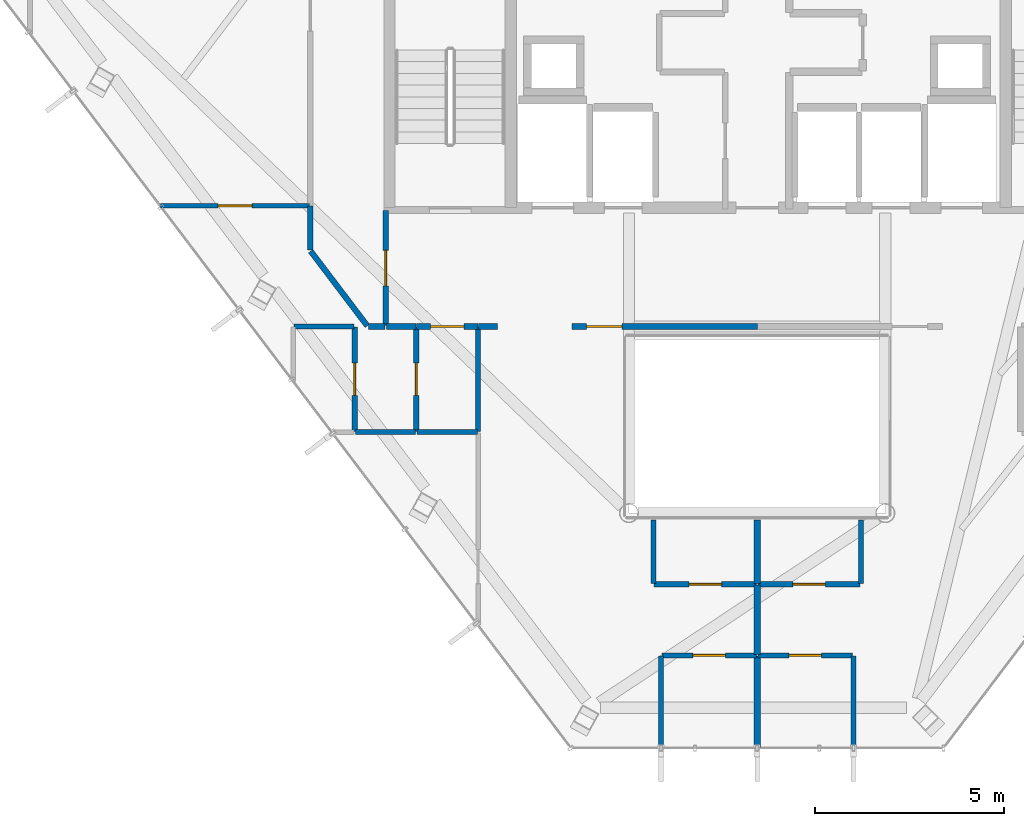
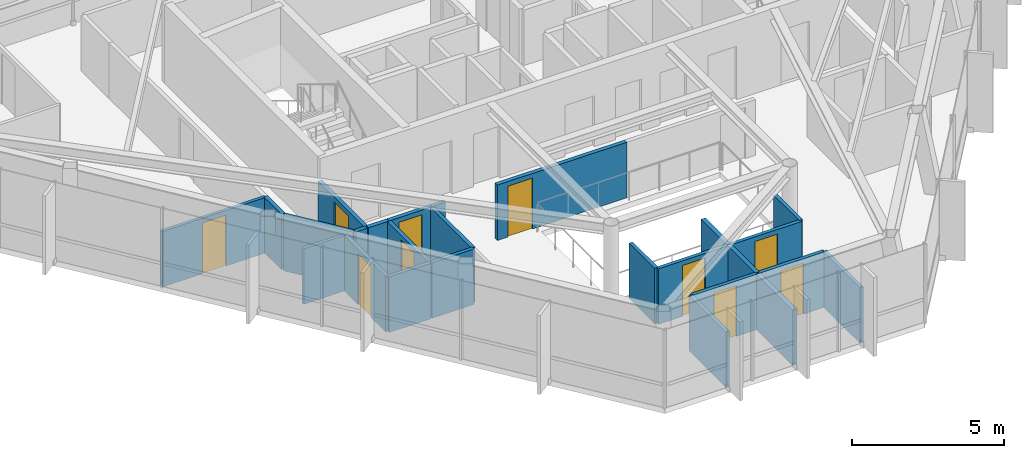
# One storey, part 22 of 26: 26 walls, 10 doors, 10 openings.
"""IFC4 building model written with IfcOpenShell, lengths in metres."""

from ifc_helpers import new_model, si_unit, direction, frame, frame_2d, origin, place, context, subcontext, project, spatial, rectangle, extrude, material, layer, layer_set, type_object, element, fill, save


model = new_model("IFC4")

# Units and contexts
model_context = context("Model", 3, precision=1e-05, world=origin(), true_north=direction((0.0, 1.0)))
body_context = subcontext(model_context, "Body", "Model", "MODEL_VIEW")
ifc_project = project(units=[si_unit("LENGTHUNIT", "METRE"), si_unit("AREAUNIT", "SQUARE_METRE"), si_unit("VOLUMEUNIT", "CUBIC_METRE"), si_unit("PLANEANGLEUNIT", "RADIAN"), si_unit("MASSUNIT", "GRAM", prefix="KILO")], contexts=[model_context])

# Site, building, storey
site_placement = place(None, origin())
site = spatial("IfcSite", under=ifc_project, at=site_placement, CompositionType="ELEMENT")
building_placement = place(site_placement, origin())
building = spatial("IfcBuilding", under=site, at=building_placement, Name="Zarrinselat Tower", CompositionType="ELEMENT")
storey_placement = place(building_placement, frame((0.0, 0.0, 265.199951171875)))
storey = spatial("IfcBuildingStorey", under=building, at=storey_placement, Name="L67", CompositionType="ELEMENT", Elevation=265.199951171875)

# Walls
ifc_material_1 = material(Name="Fire-Rated Gypsum Board Partition", Category="gypsum")
ifc_layer_1 = layer(ifc_material_1, 0.1650390625)
ifc_layer_set_1 = layer_set([ifc_layer_1], Name="Fire-Rated Gypsum Board Partition")
wall_type_1 = type_object("IfcWallType", Name="WAL-PART-DEMISE", PredefinedType="PARTITIONING", material=ifc_layer_set_1)
wall_1_placement = place(storey_placement, frame((38.39990234375, 21.451171875, 0.0), z_axis=(0.0, 0.0, 1.0), x_axis=(0.0, 1.0, 0.0)))
element("IfcWall", 1, at=wall_1_placement, inside=storey, type_object=wall_type_1, Name="L67 Partition Wall 53", PredefinedType="PARTITIONING", context=body_context, shape_type="SweptSolid", body=[
    extrude(rectangle(XDim=1.844482421875, YDim=0.1650390625, at=frame_2d((0.92236328125, 0.0))), origin(), (0.0, 0.0, 1.0), 2.235107421875),
])
wall_2_placement = place(storey_placement, frame((38.39990234375, 23.335693359375, 0.0), z_axis=(0.0, 0.0, 1.0), x_axis=(0.0, 1.0, 0.0)))
element("IfcWall", 2, at=wall_2_placement, inside=storey, type_object=wall_type_1, Name="L67 Partition Wall 54", PredefinedType="PARTITIONING", context=body_context, shape_type="SweptSolid", body=[
    extrude(rectangle(XDim=1.684326171875, YDim=0.1650390625, at=frame_2d((0.84228515625, 0.0))), origin(), (0.0, 0.0, 1.0), 2.235107421875),
])
wall_3_placement = place(storey_placement, frame((38.39990234375, 18.986083984375, 0.0), z_axis=(0.0, 0.0, 1.0), x_axis=(0.0, 1.0, 0.0)))
element("IfcWall", 3, at=wall_3_placement, inside=storey, type_object=wall_type_1, Name="L67 Partition Wall 55", PredefinedType="PARTITIONING", context=body_context, shape_type="SweptSolid", body=[
    extrude(rectangle(XDim=2.425048828125, YDim=0.1650390625, at=frame_2d((1.21240234375, 0.0))), origin(), (0.0, 0.0, 1.0), 2.235107421875),
])

# Wall, opening, door
ifc_material_2 = material(Name="Fire-Rated Gypsum Board Partition", Category="gypsum")
ifc_layer_2 = layer(ifc_material_2, 0.14990234375)
ifc_layer_set_2 = layer_set([ifc_layer_2], Name="Fire-Rated Gypsum Board Partition")
wall_type_2 = type_object("IfcWallType", Name="WAL-PART-EI60", PredefinedType="PARTITIONING", material=ifc_layer_set_2)
wall_4_placement = place(storey_placement, frame((28.550048828125, 30.169921875, 0.0), z_axis=(0.0, 0.0, 1.0), x_axis=(0.0, 1.0, 0.0)))
wall_4 = element("IfcWall", 4, at=wall_4_placement, inside=storey, type_object=wall_type_2, Name="L67 Partition Wall 17", PredefinedType="PARTITIONING", context=body_context, shape_type="SweptSolid", body=[
    extrude(rectangle(XDim=3.06005859375, YDim=0.14990234375, at=frame_2d((1.530029296875, 0.0))), origin(), (0.0, 0.0, 1.0), 2.235107421875),
])
opening_1_placement = place(wall_4_placement, frame((1.06005859375, 0.0, 0.0)))
opening_1 = element("IfcOpeningElement", 5, at=opening_1_placement, cuts=wall_4, Name="Opening ID-04", PredefinedType="OPENING", context=body_context, shape_type="SweptSolid", body=[
    extrude(rectangle(XDim=0.93994140625, YDim=2.050048828125, at=frame_2d((0.469970703125, 1.02490234375))), frame((0.0, 0.0849609375, 0.0), z_axis=(0.0, -1.0, 0.0), x_axis=(1.0, 0.0, 0.0)), (0.0, 0.0, 1.0), 0.169921875),
])
ifc_material_3 = material(Name="Fire-Rated Gypsum Board Partition")
door_type_1 = type_object("IfcDoorType", Name="DR-INT-FD30-ENT", OperationType="NOTDEFINED", PredefinedType="DOOR", material=ifc_material_3)
door_1_placement = place(opening_1_placement, origin())
door_1 = element("IfcDoor", 6, at=door_1_placement, inside=storey, type_object=door_type_1, Name="L67 Interior Door P17", OperationType="SINGLE_SWING_RIGHT", OverallHeight=2.050048828125, OverallWidth=0.93994140625, PredefinedType="DOOR", context=body_context, shape_type="SweptSolid", body=[
    extrude(rectangle(XDim=0.93994140625, YDim=2.050048828125, at=frame_2d((0.469970703125, 1.02490234375))), frame((0.0, 0.02490234375, 0.0), z_axis=(0.0, -1.0, 0.0), x_axis=(1.0, 0.0, 0.0)), (0.0, 0.0, 1.0), 0.050048828125),
])
fill(opening_1, door_1)

# Wall
wall_5_placement = place(storey_placement, frame((28.570068359375, 30.14990234375, 0.0), z_axis=(0.0, 0.0, 1.0), x_axis=(1.0, 0.0, 0.0)))
element("IfcWall", 7, at=wall_5_placement, inside=storey, type_object=wall_type_2, Name="L67 Partition Wall 19", PredefinedType="PARTITIONING", context=body_context, shape_type="SweptSolid", body=[
    extrude(rectangle(XDim=0.784912109375, YDim=0.14990234375, at=frame_2d((0.392578125, 0.0))), origin(), (0.0, 0.0, 1.0), 2.235107421875),
])

# Wall, opening, door
wall_6_placement = place(storey_placement, frame((29.364990234375, 30.14990234375, 0.0), z_axis=(0.0, 0.0, 1.0), x_axis=(1.0, 0.0, 0.0)))
wall_6 = element("IfcWall", 8, at=wall_6_placement, inside=storey, type_object=wall_type_2, Name="L67 Partition Wall 20", PredefinedType="PARTITIONING", context=body_context, shape_type="SweptSolid", body=[
    extrude(rectangle(XDim=1.630126953125, YDim=0.14990234375, at=frame_2d((0.81494140625, 0.0))), origin(), (0.0, 0.0, 1.0), 2.235107421875),
])
opening_2_placement = place(wall_6_placement, frame((0.375, 0.0, 0.0)))
opening_2 = element("IfcOpeningElement", 9, at=opening_2_placement, cuts=wall_6, Name="Opening ID-03", PredefinedType="OPENING", context=body_context, shape_type="SweptSolid", body=[
    extrude(rectangle(XDim=0.8798828125, YDim=2.050048828125, at=frame_2d((0.43994140625, 1.02490234375))), frame((0.0, 0.0849609375, 0.0), z_axis=(0.0, -1.0, 0.0), x_axis=(1.0, 0.0, 0.0)), (0.0, 0.0, 1.0), 0.169921875),
])
ifc_material_4 = material(Name="Steel S355J2", Category="steel")
door_type_2 = type_object("IfcDoorType", Name="DR-INT-FD60-S", OperationType="NOTDEFINED", PredefinedType="DOOR", material=ifc_material_4)
door_2_placement = place(opening_2_placement, origin())
door_2 = element("IfcDoor", 10, at=door_2_placement, inside=storey, type_object=door_type_2, Name="L67 Interior Door P20", OperationType="SINGLE_SWING_LEFT", OverallHeight=2.050048828125, OverallWidth=0.8798828125, PredefinedType="DOOR", context=body_context, shape_type="SweptSolid", body=[
    extrude(rectangle(XDim=0.8798828125, YDim=2.050048828125, at=frame_2d((0.43994140625, 1.02490234375))), frame((0.0, 0.02490234375, 0.0), z_axis=(0.0, -1.0, 0.0), x_axis=(1.0, 0.0, 0.0)), (0.0, 0.0, 1.0), 0.050048828125),
])
fill(opening_2, door_2)

wall_7_placement = place(storey_placement, frame((33.485107421875, 30.14990234375, 0.0), z_axis=(0.0, 0.0, 1.0), x_axis=(1.0, 0.0, 0.0)))
wall_7 = element("IfcWall", 11, at=wall_7_placement, inside=storey, type_object=wall_type_2, Name="L67 Partition Wall 21", PredefinedType="PARTITIONING", context=body_context, shape_type="SweptSolid", body=[
    extrude(rectangle(XDim=4.929931640625, YDim=0.14990234375, at=frame_2d((2.46484375, 0.0))), origin(), (0.0, 0.0, 1.0), 2.235107421875),
])
opening_3_placement = place(wall_7_placement, frame((0.39501953125, 0.0, 0.0)))
opening_3 = element("IfcOpeningElement", 12, at=opening_3_placement, cuts=wall_7, Name="Opening ID-04", PredefinedType="OPENING", context=body_context, shape_type="SweptSolid", body=[
    extrude(rectangle(XDim=0.93994140625, YDim=2.050048828125, at=frame_2d((0.469970703125, 1.02490234375))), frame((0.0, 0.0849609375, 0.0), z_axis=(0.0, -1.0, 0.0), x_axis=(1.0, 0.0, 0.0)), (0.0, 0.0, 1.0), 0.169921875),
])
door_3_placement = place(opening_3_placement, origin())
door_3 = element("IfcDoor", 13, at=door_3_placement, inside=storey, type_object=door_type_1, Name="L67 Interior Door P21", OperationType="SINGLE_SWING_RIGHT", OverallHeight=2.050048828125, OverallWidth=0.93994140625, PredefinedType="DOOR", context=body_context, shape_type="SweptSolid", body=[
    extrude(rectangle(XDim=0.93994140625, YDim=2.050048828125, at=frame_2d((0.469970703125, 1.02490234375))), frame((0.0, 0.02490234375, 0.0), z_axis=(0.0, -1.0, 0.0), x_axis=(1.0, 0.0, 0.0)), (0.0, 0.0, 1.0), 0.050048828125),
])
fill(opening_3, door_3)

# Walls
wall_8_placement = place(storey_placement, frame((31.0048828125, 30.14990234375, 0.0), z_axis=(0.0, 0.0, 1.0), x_axis=(1.0, 0.0, 0.0)))
element("IfcWall", 14, at=wall_8_placement, inside=storey, type_object=wall_type_2, Name="L67 Partition Wall 22", PredefinedType="PARTITIONING", context=body_context, shape_type="SweptSolid", body=[
    extrude(rectangle(XDim=0.510009765625, YDim=0.14990234375, at=frame_2d((0.2548828125, 0.0))), origin(), (0.0, 0.0, 1.0), 2.235107421875),
])
wall_9_placement = place(storey_placement, frame((28.094482421875, 30.14990234375, 0.0), z_axis=(0.0, 0.0, 1.0), x_axis=(1.0, 0.0, 0.0)))
element("IfcWall", 15, at=wall_9_placement, inside=storey, type_object=wall_type_2, Name="L67 Partition Wall 27", PredefinedType="PARTITIONING", context=body_context, shape_type="SweptSolid", body=[
    extrude(rectangle(XDim=0.435546875, YDim=0.14990234375, at=frame_2d((0.2177734375, 0.0))), origin(), (0.0, 0.0, 1.0), 2.235107421875),
])
wall_10_placement = place(storey_placement, frame((26.56201171875, 32.146484375, 0.0), z_axis=(0.0, 0.0, 1.0), x_axis=(0.603891739408, -0.797066350485, 0.0)))
element("IfcWall", 16, at=wall_10_placement, inside=storey, type_object=wall_type_2, Name="L67 Partition Wall 32", PredefinedType="PARTITIONING", context=body_context, shape_type="SweptSolid", body=[
    extrude(rectangle(XDim=2.484619140625, YDim=0.14990234375, at=frame_2d((1.2421875, 0.0))), origin(), (0.0, 0.0, 1.0), 2.235107421875),
])
wall_11_placement = place(storey_placement, frame((26.550048828125, 32.1826171875, 0.0), z_axis=(0.0, 0.0, 1.0), x_axis=(0.0, 1.0, 0.0)))
element("IfcWall", 17, at=wall_11_placement, inside=storey, type_object=wall_type_2, Name="L67 Partition Wall 33", PredefinedType="PARTITIONING", context=body_context, shape_type="SweptSolid", body=[
    extrude(rectangle(XDim=1.160400390625, YDim=0.14990234375, at=frame_2d((0.580078125, 0.0))), origin(), (0.0, 0.0, 1.0), 2.235107421875),
])
ifc_material_5 = material(Name="Fire-Rated Gypsum Board Partition", Category="gypsum")
ifc_layer_3 = layer(ifc_material_5, 0.1201171875)
ifc_layer_set_3 = layer_set([ifc_layer_3], Name="Fire-Rated Gypsum Board Partition")
wall_type_3 = type_object("IfcWallType", Name="WAL-PART-STD", PredefinedType="PARTITIONING", material=ifc_layer_set_3)
wall_12_placement = place(storey_placement, frame((26.1201171875, 30.14990234375, 0.0), z_axis=(0.0, 0.0, 1.0), x_axis=(1.0, 0.0, 0.0)))
element("IfcWall", 18, at=wall_12_placement, inside=storey, type_object=wall_type_3, Name="L67 Partition Wall 47", PredefinedType="PARTITIONING", context=body_context, shape_type="SweptSolid", body=[
    extrude(rectangle(XDim=1.58984375, YDim=0.1201171875, at=frame_2d((0.794921875, 0.0))), origin(), (0.0, 0.0, 1.0), 2.235107421875),
])

# Wall, opening, door
wall_13_placement = place(storey_placement, frame((22.580810546875, 33.347900390625, 0.0), z_axis=(0.0, 0.0, 1.0), x_axis=(1.0, 0.0, 0.0)))
wall_13 = element("IfcWall", 19, at=wall_13_placement, inside=storey, type_object=wall_type_3, Name="L67 Partition Wall 65", PredefinedType="PARTITIONING", context=body_context, shape_type="SweptSolid", body=[
    extrude(rectangle(XDim=3.94921875, YDim=0.1201171875, at=frame_2d((1.974609375, 0.0))), origin(), (0.0, 0.0, 1.0), 2.235107421875),
])
opening_4_placement = place(wall_13_placement, frame((1.524658203125, 0.0, 0.0)))
opening_4 = element("IfcOpeningElement", 20, at=opening_4_placement, cuts=wall_13, Name="Opening ID-05", PredefinedType="OPENING", context=body_context, shape_type="SweptSolid", body=[
    extrude(rectangle(XDim=0.89990234375, YDim=2.050048828125, at=frame_2d((0.449951171875, 1.02490234375))), frame((0.0, 0.070068359375, 0.0), z_axis=(0.0, -1.0, 0.0), x_axis=(1.0, 0.0, 0.0)), (0.0, 0.0, 1.0), 0.14013671875),
])
ifc_material_6 = material(Name="Extruded Aluminium Alloy EN AW-6063 T6", Category="aluminium")
door_type_3 = type_object("IfcDoorType", Name="DR-INT-STD-920", OperationType="NOTDEFINED", PredefinedType="DOOR", material=ifc_material_6)
door_4_placement = place(opening_4_placement, origin())
door_4 = element("IfcDoor", 21, at=door_4_placement, inside=storey, type_object=door_type_3, Name="L67 Interior Door P65", OperationType="SINGLE_SWING_RIGHT", OverallHeight=2.050048828125, OverallWidth=0.89990234375, PredefinedType="DOOR", context=body_context, shape_type="SweptSolid", body=[
    extrude(rectangle(XDim=0.89990234375, YDim=2.050048828125, at=frame_2d((0.449951171875, 1.02490234375))), frame((0.0, 0.02490234375, 0.0), z_axis=(0.0, -1.0, 0.0), x_axis=(1.0, 0.0, 0.0)), (0.0, 0.0, 1.0), 0.050048828125),
])
fill(opening_4, door_4)

ifc_material_7 = material(Name="Fire-Rated Gypsum Board Partition", Category="gypsum")
ifc_layer_4 = layer(ifc_material_7, 0.135009765625)
ifc_layer_set_4 = layer_set([ifc_layer_4], Name="Fire-Rated Gypsum Board Partition")
wall_type_4 = type_object("IfcWallType", Name="WAL-PART-WET", PredefinedType="PARTITIONING", material=ifc_layer_set_4)
wall_14_placement = place(storey_placement, frame((29.360107421875, 27.3701171875, 0.0), z_axis=(0.0, 0.0, 1.0), x_axis=(0.0, 1.0, 0.0)))
wall_14 = element("IfcWall", 22, at=wall_14_placement, inside=storey, type_object=wall_type_4, Name="L67 Partition Wall 40", PredefinedType="PARTITIONING", context=body_context, shape_type="SweptSolid", body=[
    extrude(rectangle(XDim=2.759765625, YDim=0.135009765625, at=frame_2d((1.3798828125, 0.0))), origin(), (0.0, 0.0, 1.0), 2.235107421875),
])
opening_5_placement = place(wall_14_placement, frame((0.949951171875, 0.0, 0.0)))
opening_5 = element("IfcOpeningElement", 23, at=opening_5_placement, cuts=wall_14, Name="Opening ID-06", PredefinedType="OPENING", context=body_context, shape_type="SweptSolid", body=[
    extrude(rectangle(XDim=0.860107421875, YDim=2.050048828125, at=frame_2d((0.43017578125, 1.02490234375))), frame((0.0, 0.077392578125, 0.0), z_axis=(0.0, -1.0, 0.0), x_axis=(1.0, 0.0, 0.0)), (0.0, 0.0, 1.0), 0.155029296875),
])
ifc_material_8 = material(Name="Extruded Aluminium Alloy EN AW-6063 T6", Category="aluminium")
door_type_4 = type_object("IfcDoorType", Name="DR-INT-WET-900", OperationType="NOTDEFINED", PredefinedType="DOOR", material=ifc_material_8)
door_5_placement = place(opening_5_placement, origin())
door_5 = element("IfcDoor", 24, at=door_5_placement, inside=storey, type_object=door_type_4, Name="L67 Interior Door P40", OperationType="SINGLE_SWING_RIGHT", OverallHeight=2.050048828125, OverallWidth=0.860107421875, PredefinedType="DOOR", context=body_context, shape_type="SweptSolid", body=[
    extrude(rectangle(XDim=0.860107421875, YDim=2.050048828125, at=frame_2d((0.43017578125, 1.02490234375))), frame((0.0, 0.02490234375, 0.0), z_axis=(0.0, -1.0, 0.0), x_axis=(1.0, 0.0, 0.0)), (0.0, 0.0, 1.0), 0.050048828125),
])
fill(opening_5, door_5)

wall_15_placement = place(storey_placement, frame((27.72998046875, 27.3701171875, 0.0), z_axis=(0.0, 0.0, 1.0), x_axis=(0.0, 1.0, 0.0)))
wall_15 = element("IfcWall", 25, at=wall_15_placement, inside=storey, type_object=wall_type_4, Name="L67 Partition Wall 41", PredefinedType="PARTITIONING", context=body_context, shape_type="SweptSolid", body=[
    extrude(rectangle(XDim=2.759765625, YDim=0.135009765625, at=frame_2d((1.3798828125, 0.0))), origin(), (0.0, 0.0, 1.0), 2.235107421875),
])
opening_6_placement = place(wall_15_placement, frame((0.949951171875, 0.0, 0.0)))
opening_6 = element("IfcOpeningElement", 26, at=opening_6_placement, cuts=wall_15, Name="Opening ID-06", PredefinedType="OPENING", context=body_context, shape_type="SweptSolid", body=[
    extrude(rectangle(XDim=0.860107421875, YDim=2.050048828125, at=frame_2d((0.43017578125, 1.02490234375))), frame((0.0, 0.077392578125, 0.0), z_axis=(0.0, -1.0, 0.0), x_axis=(1.0, 0.0, 0.0)), (0.0, 0.0, 1.0), 0.155029296875),
])
door_6_placement = place(opening_6_placement, origin())
door_6 = element("IfcDoor", 27, at=door_6_placement, inside=storey, type_object=door_type_4, Name="L67 Interior Door P41", OperationType="SINGLE_SWING_LEFT", OverallHeight=2.050048828125, OverallWidth=0.860107421875, PredefinedType="DOOR", context=body_context, shape_type="SweptSolid", body=[
    extrude(rectangle(XDim=0.860107421875, YDim=2.050048828125, at=frame_2d((0.43017578125, 1.02490234375))), frame((0.0, 0.02490234375, 0.0), z_axis=(0.0, -1.0, 0.0), x_axis=(1.0, 0.0, 0.0)), (0.0, 0.0, 1.0), 0.050048828125),
])
fill(opening_6, door_6)

# Walls
wall_16_placement = place(storey_placement, frame((27.75, 27.35009765625, 0.0), z_axis=(0.0, 0.0, 1.0), x_axis=(1.0, 0.0, 0.0)))
element("IfcWall", 28, at=wall_16_placement, inside=storey, type_object=wall_type_4, Name="L67 Partition Wall 42", PredefinedType="PARTITIONING", context=body_context, shape_type="SweptSolid", body=[
    extrude(rectangle(XDim=1.590087890625, YDim=0.135009765625, at=frame_2d((0.794921875, 0.0))), origin(), (0.0, 0.0, 1.0), 2.235107421875),
])
wall_17_placement = place(storey_placement, frame((31.0, 27.3701171875, 0.0), z_axis=(0.0, 0.0, 1.0), x_axis=(0.0, 1.0, 0.0)))
element("IfcWall", 29, at=wall_17_placement, inside=storey, type_object=wall_type_4, Name="L67 Partition Wall 43", PredefinedType="PARTITIONING", context=body_context, shape_type="SweptSolid", body=[
    extrude(rectangle(XDim=2.759765625, YDim=0.135009765625, at=frame_2d((1.3798828125, 0.0))), origin(), (0.0, 0.0, 1.0), 2.235107421875),
])
wall_18_placement = place(storey_placement, frame((29.3798828125, 27.35009765625, 0.0), z_axis=(0.0, 0.0, 1.0), x_axis=(1.0, 0.0, 0.0)))
element("IfcWall", 30, at=wall_18_placement, inside=storey, type_object=wall_type_4, Name="L67 Partition Wall 44", PredefinedType="PARTITIONING", context=body_context, shape_type="SweptSolid", body=[
    extrude(rectangle(XDim=1.60009765625, YDim=0.135009765625, at=frame_2d((0.800048828125, 0.0))), origin(), (0.0, 0.0, 1.0), 2.235107421875),
])
wall_19_placement = place(storey_placement, frame((35.64990234375, 23.335693359375, 0.0), z_axis=(0.0, 0.0, 1.0), x_axis=(0.0, 1.0, 0.0)))
element("IfcWall", 31, at=wall_19_placement, inside=storey, type_object=wall_type_4, Name="L67 Partition Wall 48", PredefinedType="PARTITIONING", context=body_context, shape_type="SweptSolid", body=[
    extrude(rectangle(XDim=1.684326171875, YDim=0.135009765625, at=frame_2d((0.84228515625, 0.0))), origin(), (0.0, 0.0, 1.0), 2.235107421875),
])

# Wall, opening, door
wall_20_placement = place(storey_placement, frame((35.669921875, 23.315673828125, 0.0), z_axis=(0.0, 0.0, 1.0), x_axis=(1.0, 0.0, 0.0)))
wall_20 = element("IfcWall", 32, at=wall_20_placement, inside=storey, type_object=wall_type_4, Name="L67 Partition Wall 49", PredefinedType="PARTITIONING", context=body_context, shape_type="SweptSolid", body=[
    extrude(rectangle(XDim=2.7099609375, YDim=0.135009765625, at=frame_2d((1.35498046875, 0.0))), origin(), (0.0, 0.0, 1.0), 2.235107421875),
])
opening_7_placement = place(wall_20_placement, frame((0.925048828125, 0.0, 0.0)))
opening_7 = element("IfcOpeningElement", 33, at=opening_7_placement, cuts=wall_20, Name="Opening ID-06", PredefinedType="OPENING", context=body_context, shape_type="SweptSolid", body=[
    extrude(rectangle(XDim=0.860107421875, YDim=2.050048828125, at=frame_2d((0.43017578125, 1.02490234375))), frame((0.0, 0.077392578125, 0.0), z_axis=(0.0, -1.0, 0.0), x_axis=(1.0, 0.0, 0.0)), (0.0, 0.0, 1.0), 0.155029296875),
])
door_7_placement = place(opening_7_placement, origin())
door_7 = element("IfcDoor", 34, at=door_7_placement, inside=storey, type_object=door_type_4, Name="L67 Interior Door P49", OperationType="SINGLE_SWING_RIGHT", OverallHeight=2.050048828125, OverallWidth=0.860107421875, PredefinedType="DOOR", context=body_context, shape_type="SweptSolid", body=[
    extrude(rectangle(XDim=0.860107421875, YDim=2.050048828125, at=frame_2d((0.43017578125, 1.02490234375))), frame((0.0, 0.02490234375, 0.0), z_axis=(0.0, -1.0, 0.0), x_axis=(1.0, 0.0, 0.0)), (0.0, 0.0, 1.0), 0.050048828125),
])
fill(opening_7, door_7)

wall_21_placement = place(storey_placement, frame((35.8701171875, 21.43115234375, 0.0), z_axis=(0.0, 0.0, 1.0), x_axis=(1.0, 0.0, 0.0)))
wall_21 = element("IfcWall", 35, at=wall_21_placement, inside=storey, type_object=wall_type_4, Name="L67 Partition Wall 50", PredefinedType="PARTITIONING", context=body_context, shape_type="SweptSolid", body=[
    extrude(rectangle(XDim=2.509765625, YDim=0.135009765625, at=frame_2d((1.2548828125, 0.0))), origin(), (0.0, 0.0, 1.0), 2.235107421875),
])
opening_8_placement = place(wall_21_placement, frame((0.824951171875, 0.0, 0.0)))
opening_8 = element("IfcOpeningElement", 36, at=opening_8_placement, cuts=wall_21, Name="Opening ID-06", PredefinedType="OPENING", context=body_context, shape_type="SweptSolid", body=[
    extrude(rectangle(XDim=0.860107421875, YDim=2.050048828125, at=frame_2d((0.43017578125, 1.02490234375))), frame((0.0, 0.077392578125, 0.0), z_axis=(0.0, -1.0, 0.0), x_axis=(1.0, 0.0, 0.0)), (0.0, 0.0, 1.0), 0.155029296875),
])
door_8_placement = place(opening_8_placement, origin())
door_8 = element("IfcDoor", 37, at=door_8_placement, inside=storey, type_object=door_type_4, Name="L67 Interior Door P50", OperationType="SINGLE_SWING_LEFT", OverallHeight=2.050048828125, OverallWidth=0.860107421875, PredefinedType="DOOR", context=body_context, shape_type="SweptSolid", body=[
    extrude(rectangle(XDim=0.860107421875, YDim=2.050048828125, at=frame_2d((0.43017578125, 1.02490234375))), frame((0.0, 0.02490234375, 0.0), z_axis=(0.0, -1.0, 0.0), x_axis=(1.0, 0.0, 0.0)), (0.0, 0.0, 1.0), 0.050048828125),
])
fill(opening_8, door_8)

# Wall
wall_22_placement = place(storey_placement, frame((35.85009765625, 18.986083984375, 0.0), z_axis=(0.0, 0.0, 1.0), x_axis=(0.0, 1.0, 0.0)))
element("IfcWall", 38, at=wall_22_placement, inside=storey, type_object=wall_type_4, Name="L67 Partition Wall 51", PredefinedType="PARTITIONING", context=body_context, shape_type="SweptSolid", body=[
    extrude(rectangle(XDim=2.425048828125, YDim=0.135009765625, at=frame_2d((1.21240234375, 0.0))), origin(), (0.0, 0.0, 1.0), 2.235107421875),
])

# Wall, opening, door
wall_23_placement = place(storey_placement, frame((38.419921875, 23.315673828125, 0.0), z_axis=(0.0, 0.0, 1.0), x_axis=(1.0, 0.0, 0.0)))
wall_23 = element("IfcWall", 39, at=wall_23_placement, inside=storey, type_object=wall_type_4, Name="L67 Partition Wall 56", PredefinedType="PARTITIONING", context=body_context, shape_type="SweptSolid", body=[
    extrude(rectangle(XDim=2.7099609375, YDim=0.135009765625, at=frame_2d((1.35498046875, 0.0))), origin(), (0.0, 0.0, 1.0), 2.235107421875),
])
opening_9_placement = place(wall_23_placement, frame((0.925048828125, 0.0, 0.0)))
opening_9 = element("IfcOpeningElement", 40, at=opening_9_placement, cuts=wall_23, Name="Opening ID-06", PredefinedType="OPENING", context=body_context, shape_type="SweptSolid", body=[
    extrude(rectangle(XDim=0.860107421875, YDim=2.050048828125, at=frame_2d((0.43017578125, 1.02490234375))), frame((0.0, 0.077392578125, 0.0), z_axis=(0.0, -1.0, 0.0), x_axis=(1.0, 0.0, 0.0)), (0.0, 0.0, 1.0), 0.155029296875),
])
door_9_placement = place(opening_9_placement, origin())
door_9 = element("IfcDoor", 41, at=door_9_placement, inside=storey, type_object=door_type_4, Name="L67 Interior Door P56", OperationType="SINGLE_SWING_LEFT", OverallHeight=2.050048828125, OverallWidth=0.860107421875, PredefinedType="DOOR", context=body_context, shape_type="SweptSolid", body=[
    extrude(rectangle(XDim=0.860107421875, YDim=2.050048828125, at=frame_2d((0.43017578125, 1.02490234375))), frame((0.0, 0.02490234375, 0.0), z_axis=(0.0, -1.0, 0.0), x_axis=(1.0, 0.0, 0.0)), (0.0, 0.0, 1.0), 0.050048828125),
])
fill(opening_9, door_9)

# Walls
wall_24_placement = place(storey_placement, frame((41.14990234375, 23.335693359375, 0.0), z_axis=(0.0, 0.0, 1.0), x_axis=(0.0, 1.0, 0.0)))
element("IfcWall", 42, at=wall_24_placement, inside=storey, type_object=wall_type_4, Name="L67 Partition Wall 57", PredefinedType="PARTITIONING", context=body_context, shape_type="SweptSolid", body=[
    extrude(rectangle(XDim=1.684326171875, YDim=0.135009765625, at=frame_2d((0.84228515625, 0.0))), origin(), (0.0, 0.0, 1.0), 2.235107421875),
])
wall_25_placement = place(storey_placement, frame((40.949951171875, 18.986083984375, 0.0), z_axis=(0.0, 0.0, 1.0), x_axis=(0.0, 1.0, 0.0)))
element("IfcWall", 43, at=wall_25_placement, inside=storey, type_object=wall_type_4, Name="L67 Partition Wall 58", PredefinedType="PARTITIONING", context=body_context, shape_type="SweptSolid", body=[
    extrude(rectangle(XDim=2.425048828125, YDim=0.135009765625, at=frame_2d((1.21240234375, 0.0))), origin(), (0.0, 0.0, 1.0), 2.235107421875),
])

# Wall, opening, door
wall_26_placement = place(storey_placement, frame((38.419921875, 21.43115234375, 0.0), z_axis=(0.0, 0.0, 1.0), x_axis=(1.0, 0.0, 0.0)))
wall_26 = element("IfcWall", 44, at=wall_26_placement, inside=storey, type_object=wall_type_4, Name="L67 Partition Wall 59", PredefinedType="PARTITIONING", context=body_context, shape_type="SweptSolid", body=[
    extrude(rectangle(XDim=2.510009765625, YDim=0.135009765625, at=frame_2d((1.2548828125, 0.0))), origin(), (0.0, 0.0, 1.0), 2.235107421875),
])
opening_10_placement = place(wall_26_placement, frame((0.824951171875, 0.0, 0.0)))
opening_10 = element("IfcOpeningElement", 45, at=opening_10_placement, cuts=wall_26, Name="Opening ID-06", PredefinedType="OPENING", context=body_context, shape_type="SweptSolid", body=[
    extrude(rectangle(XDim=0.860107421875, YDim=2.050048828125, at=frame_2d((0.43017578125, 1.02490234375))), frame((0.0, 0.077392578125, 0.0), z_axis=(0.0, -1.0, 0.0), x_axis=(1.0, 0.0, 0.0)), (0.0, 0.0, 1.0), 0.155029296875),
])
door_10_placement = place(opening_10_placement, origin())
door_10 = element("IfcDoor", 46, at=door_10_placement, inside=storey, type_object=door_type_4, Name="L67 Interior Door P59", OperationType="SINGLE_SWING_RIGHT", OverallHeight=2.050048828125, OverallWidth=0.860107421875, PredefinedType="DOOR", context=body_context, shape_type="SweptSolid", body=[
    extrude(rectangle(XDim=0.860107421875, YDim=2.050048828125, at=frame_2d((0.43017578125, 1.02490234375))), frame((0.0, 0.02490234375, 0.0), z_axis=(0.0, -1.0, 0.0), x_axis=(1.0, 0.0, 0.0)), (0.0, 0.0, 1.0), 0.050048828125),
])
fill(opening_10, door_10)

save(model, "model.ifc")
